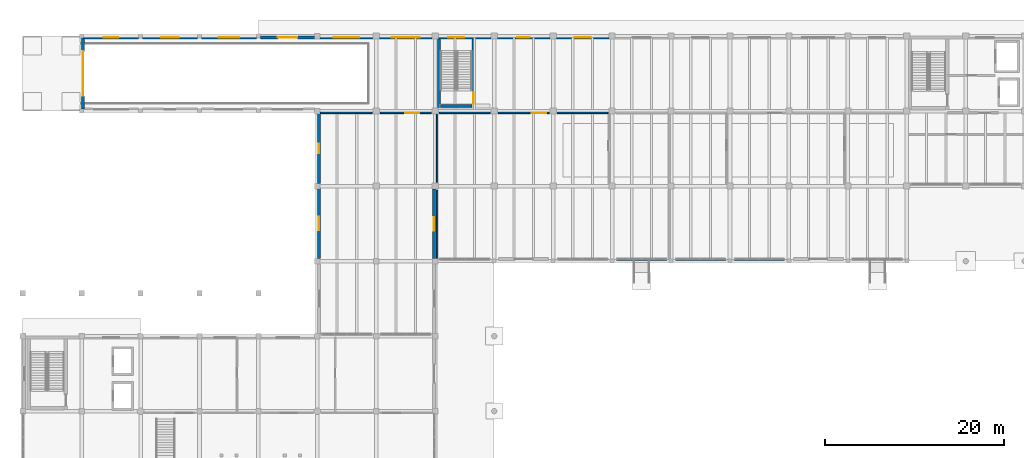
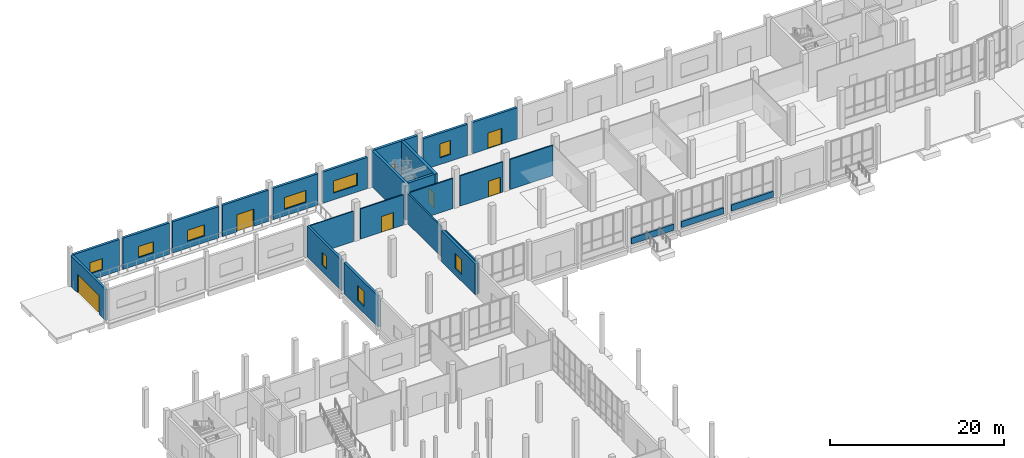
# One storey, part 43 of 64: 26 walls, 9 windows, 7 doors, 16 openings.
"""IFC4 building model written with IfcOpenShell, lengths in metres."""

import ifcopenshell
import ifcopenshell.guid

model = None  # the IFC model being written
_history = None  # IfcOwnerHistory: only IFC2X3 demands one
_inside = {}  # id of a spatial element -> (the spatial element, [elements in it])
_under = {}  # id of a project, library or spatial element -> (it, [spatial elements below it])
_declared = {}  # id of a project -> (the project, [libraries it declares])
_typed = {}  # id of a type object -> (the type object, [elements of that type])
_made_of = {}  # id of a material, layer set ... -> (it, [elements and type objects made of it])


def new_model(schema):
    """Start an empty IFC model of exactly this schema.

    Asked for "IFC4X3", IfcOpenShell would pick the latest addendum, in which some entities
    have other attributes; the version numbers below select the first issue.
    IFC2X3 requires an IfcOwnerHistory on every rooted entity: one is made here for all.
    """
    global model, _history
    if schema == "IFC4X3":
        model = ifcopenshell.file(schema_version=(4, 3, 0, 0))
    else:
        model = ifcopenshell.file(schema=schema)
    _inside.clear()
    _under.clear()
    _declared.clear()
    _typed.clear()
    _made_of.clear()
    _history = None
    if model.schema == "IFC2X3":
        org = make("IfcOrganization", Name="unknown")
        user = make(
            "IfcPersonAndOrganization",
            ThePerson=make("IfcPerson", FamilyName="unknown"),
            TheOrganization=org,
        )
        app = make(
            "IfcApplication",
            ApplicationDeveloper=org,
            Version="unknown",
            ApplicationFullName="unknown",
            ApplicationIdentifier="unknown",
        )
        _history = make(
            "IfcOwnerHistory",
            OwningUser=user,
            OwningApplication=app,
            ChangeAction="ADDED",
            CreationDate=0,
        )
    return model


def make(cls, **values):
    """One entity of the class cls with the attributes given. An attribute that is None is left unset."""
    return model.create_entity(
        cls, **{name: value for name, value in values.items() if value is not None}
    )


def rooted(cls, **values):
    """An entity with a GlobalId (a new one), such as an element, a storey or a relation."""
    return make(cls, GlobalId=ifcopenshell.guid.new(), OwnerHistory=_history, **values)


def si_unit(unit_type, name, prefix=None):
    """IfcSIUnit, for example si_unit("LENGTHUNIT", "METRE", prefix="MILLI")."""
    return make("IfcSIUnit", UnitType=unit_type, Prefix=prefix, Name=name)


def assignment(units):
    """IfcUnitAssignment: the units of a project."""
    return None if units is None else make("IfcUnitAssignment", Units=units)


def point(xyz):
    """IfcCartesianPoint."""
    return None if xyz is None else make("IfcCartesianPoint", Coordinates=xyz)


def direction(xyz):
    """IfcDirection."""
    return None if xyz is None else make("IfcDirection", DirectionRatios=xyz)


def frame(location, z_axis=None, x_axis=None):
    """IfcAxis2Placement3D, a coordinate frame: its origin and axes. An axis left out is left unset."""
    return make(
        "IfcAxis2Placement3D",
        Location=point(location),
        Axis=direction(z_axis),
        RefDirection=direction(x_axis),
    )


def frame_2d(location, x_axis=None):
    """IfcAxis2Placement2D, a coordinate frame in the plane: its origin and x axis."""
    return make(
        "IfcAxis2Placement2D", Location=point(location), RefDirection=direction(x_axis)
    )


def origin():
    """The frame at (0, 0, 0) with its axes left unset."""
    return frame((0.0, 0.0, 0.0))


def place(relative_to, where):
    """IfcLocalPlacement: puts the frame where relative to a parent placement (None: the world)."""
    return make(
        "IfcLocalPlacement", PlacementRelTo=relative_to, RelativePlacement=where
    )


def context(
    kind, dimensions, precision=None, world=None, true_north=None, identifier=None
):
    """IfcGeometricRepresentationContext, for example the 3D "Model" context."""
    return make(
        "IfcGeometricRepresentationContext",
        ContextIdentifier=identifier,
        ContextType=kind,
        CoordinateSpaceDimension=dimensions,
        Precision=precision,
        WorldCoordinateSystem=world,
        TrueNorth=true_north,
    )


def subcontext(parent, identifier, kind, view, scale=None):
    """IfcGeometricRepresentationSubContext, for example "Body" below "Model"."""
    return make(
        "IfcGeometricRepresentationSubContext",
        ContextIdentifier=identifier,
        ContextType=kind,
        ParentContext=parent,
        TargetScale=scale,
        TargetView=view,
    )


def project(units=None, contexts=None):
    """IfcProject with its units and contexts."""
    return rooted(
        "IfcProject",
        Name="project",
        RepresentationContexts=contexts,
        UnitsInContext=assignment(units),
    )


def spatial(cls, under=None, at=None, **own):
    """A site, building, storey or space (cls), placed at a placement, below another one or the project."""
    s = rooted(cls, ObjectPlacement=at, **own)
    if under is not None:
        _under.setdefault(under.id(), (under, []))[1].append(s)
    return s


def profile(cls, at=None, kind="AREA", **sizes):
    """A parametric profile (cls). Its sizes go by their IFC names, for example OverallWidth=200.0."""
    return make(cls, ProfileType=kind, Position=at, **sizes)


def rectangle(**sizes):
    """IfcRectangleProfileDef."""
    return profile("IfcRectangleProfileDef", **sizes)


def extrude(swept, where, along, depth):
    """IfcExtrudedAreaSolid: the profile swept, set in the frame where, extruded along a direction by depth."""
    return make(
        "IfcExtrudedAreaSolid",
        SweptArea=swept,
        Position=where,
        ExtrudedDirection=direction(along),
        Depth=depth,
    )


def shape(context_of_items, identifier, shape_type, items):
    """IfcShapeRepresentation: the items that make up one representation, for example the "Body"."""
    return make(
        "IfcShapeRepresentation",
        ContextOfItems=context_of_items,
        RepresentationIdentifier=identifier,
        RepresentationType=shape_type,
        Items=items,
    )


def material(Name=None, Category=None):
    """IfcMaterial."""
    return make("IfcMaterial", Name=Name, Category=Category)


def layer(
    of_material, thickness, ventilated=None, Name=None, Category=None, Priority=None
):
    """IfcMaterialLayer: one layer of a wall or slab, of a material (None: an air gap)."""
    return make(
        "IfcMaterialLayer",
        Material=of_material,
        LayerThickness=thickness,
        IsVentilated=ventilated,
        Name=Name,
        Category=Category,
        Priority=Priority,
    )


def layer_set(layers, Name=None):
    """IfcMaterialLayerSet."""
    return make("IfcMaterialLayerSet", MaterialLayers=layers, LayerSetName=Name)


def made_of(thing, what):
    """Note that an element or type object is made of a material, layer set ...; save() writes the relation."""
    if what is not None:
        _made_of.setdefault(what.id(), (what, []))[1].append(thing)
    return thing


def type_object(cls, material=None, **own):
    """A type object (cls), such as IfcWallType, which elements share."""
    return made_of(rooted(cls, **own), material)


def element(
    cls,
    number,
    at=None,
    inside=None,
    cuts=None,
    type_object=None,
    material=None,
    context=None,
    identifier="Body",
    shape_type=None,
    held_by="IfcProductDefinitionShape",
    body=None,
    shapes=None,
    **own,
):
    """One element of the class cls, such as IfcWall. Its Tag is "e" and its number.

    at: its placement. inside: the storey or other place that contains it. cuts: it is an
    opening in that element (IfcRelVoidsElement). A single representation is given by context,
    identifier, shape_type and body (its items); several are given by shapes. held_by: the class
    of the entity that holds the representations. save() writes the other relations.
    """
    e = rooted(cls, Tag="e%d" % number, ObjectPlacement=at, **own)
    if body is not None:
        shapes = [shape(context, identifier, shape_type, body)]
    if shapes is not None:
        e.Representation = make(held_by, Representations=shapes)
    if inside is not None:
        _inside.setdefault(inside.id(), (inside, []))[1].append(e)
    if cuts is not None:
        rooted(
            "IfcRelVoidsElement", RelatingBuildingElement=cuts, RelatedOpeningElement=e
        )
    if type_object is not None:
        _typed.setdefault(type_object.id(), (type_object, []))[1].append(e)
    return made_of(e, material)


def fill(opening, filler):
    """IfcRelFillsElement: the door or window that sits in an opening."""
    return rooted(
        "IfcRelFillsElement",
        RelatingOpeningElement=opening,
        RelatedBuildingElement=filler,
    )


def aggregate(whole, parts):
    """IfcRelAggregates: a whole, such as a stair, and the parts it consists of."""
    return rooted("IfcRelAggregates", RelatingObject=whole, RelatedObjects=parts)


def save(model, path):
    """Write the relations noted so far, then the file.

    IfcRelAggregates (storeys below a building ...), IfcRelContainedInSpatialStructure (elements
    in a storey), IfcRelDefinesByType, IfcRelAssociatesMaterial and IfcRelDeclares: one each for
    every whole, place, type object, material and project.
    """
    for whole, parts in _under.values():
        aggregate(whole, parts)
    for where, things in _inside.values():
        rooted(
            "IfcRelContainedInSpatialStructure",
            RelatedElements=things,
            RelatingStructure=where,
        )
    for kind, things in _typed.values():
        rooted("IfcRelDefinesByType", RelatedObjects=things, RelatingType=kind)
    for what, things in _made_of.values():
        rooted("IfcRelAssociatesMaterial", RelatedObjects=things, RelatingMaterial=what)
    for by, libraries in _declared.values():
        rooted("IfcRelDeclares", RelatingContext=by, RelatedDefinitions=libraries)
    model.write(path)


model = new_model("IFC4")

# Units and contexts
model_context = context("Model", 3, precision=1e-05, world=origin(), true_north=direction((0.0, 1.0)))
body_context = subcontext(model_context, "Body", "Model", "MODEL_VIEW")
ifc_project = project(units=[si_unit("LENGTHUNIT", "METRE"), si_unit("AREAUNIT", "SQUARE_METRE"), si_unit("VOLUMEUNIT", "CUBIC_METRE"), si_unit("PLANEANGLEUNIT", "RADIAN"), si_unit("MASSUNIT", "GRAM", prefix="KILO")], contexts=[model_context])

# Site, building, storey
site_placement = place(None, origin())
site = spatial("IfcSite", under=ifc_project, at=site_placement, CompositionType="ELEMENT")
building_placement = place(site_placement, origin())
building = spatial("IfcBuilding", under=site, at=building_placement, Name="Qaldarim Faculty of Natural and Applied Sciences", CompositionType="ELEMENT")
storey_placement = place(building_placement, origin())
storey = spatial("IfcBuildingStorey", under=building, at=storey_placement, Name="L00", CompositionType="ELEMENT", Elevation=0.0)

# Wall
ifc_material_1 = material(Name="Concrete C50/60", Category="concrete")
ifc_layer_1 = layer(ifc_material_1, 0.360107421875)
ifc_layer_set_1 = layer_set([ifc_layer_1], Name="Concrete C50/60")
wall_type_1 = type_object("IfcWallType", Name="CoreShearWall-360", PredefinedType="SHEAR", material=ifc_layer_set_1)
wall_1_placement = place(storey_placement, frame((46.6201171875, 109.590087890625, 0.0), z_axis=(0.0, 0.0, 1.0), x_axis=(0.0, 1.0, 0.0)))
element("IfcWall", 1, at=wall_1_placement, inside=storey, type_object=wall_type_1, Name="Core stair ST-B2 west shear wall L00", PredefinedType="SHEAR", context=body_context, shape_type="SweptSolid", body=[
    extrude(rectangle(XDim=7.83984375, YDim=0.360107421875, at=frame_2d((3.919921875, 0.0))), origin(), (0.0, 0.0, 1.0), 5.10009765625),
])

# Wall, opening, door
wall_2_placement = place(storey_placement, frame((50.47998046875, 109.590087890625, 0.0), z_axis=(0.0, 0.0, 1.0), x_axis=(0.0, 1.0, 0.0)))
wall_2 = element("IfcWall", 2, at=wall_2_placement, inside=storey, type_object=wall_type_1, Name="Core stair ST-B2 east shear wall L00", PredefinedType="SHEAR", context=body_context, shape_type="SweptSolid", body=[
    extrude(rectangle(XDim=7.83984375, YDim=0.360107421875, at=frame_2d((3.919921875, 0.0))), origin(), (0.0, 0.0, 1.0), 5.10009765625),
])
opening_1_placement = place(wall_2_placement, frame((0.449951171875, 0.0, 0.0)))
opening_1 = element("IfcOpeningElement", 3, at=opening_1_placement, cuts=wall_2, Name="Opening ID04", PredefinedType="OPENING", context=body_context, shape_type="SweptSolid", body=[
    extrude(rectangle(XDim=1.25, YDim=2.14990234375, at=frame_2d((0.625, 1.074951171875))), frame((0.0, 0.18994140625, 0.0), z_axis=(0.0, -1.0, 0.0), x_axis=(1.0, 0.0, 0.0)), (0.0, 0.0, 1.0), 0.380126953125),
])
ifc_material_2 = material(Name="Architectural stainless steel 316", Category="steel")
door_type_1 = type_object("IfcDoorType", Name="StairEnclosureFireDoor-1250x2150", OperationType="NOTDEFINED", PredefinedType="DOOR", material=ifc_material_2)
door_1_placement = place(opening_1_placement, origin())
door_1 = element("IfcDoor", 4, at=door_1_placement, inside=storey, type_object=door_type_1, Name="Protected stair ST-B2 fire door D-L00-533", OperationType="SINGLE_SWING_RIGHT", OverallHeight=2.14990234375, OverallWidth=1.25, PredefinedType="DOOR", context=body_context, shape_type="SweptSolid", body=[
    extrude(rectangle(XDim=1.25, YDim=2.14990234375, at=frame_2d((0.625, 1.074951171875))), frame((0.0, 0.02490234375, 0.0), z_axis=(0.0, -1.0, 0.0), x_axis=(1.0, 0.0, 0.0)), (0.0, 0.0, 1.0), 0.050048828125),
])
fill(opening_1, door_1)

# Wall
wall_3_placement = place(storey_placement, frame((46.800048828125, 109.77001953125, 0.0), z_axis=(0.0, 0.0, 1.0), x_axis=(1.0, 0.0, 0.0)))
element("IfcWall", 5, at=wall_3_placement, inside=storey, type_object=wall_type_1, Name="Core stair ST-B2 south shear wall L00", PredefinedType="SHEAR", context=body_context, shape_type="SweptSolid", body=[
    extrude(rectangle(XDim=3.5, YDim=0.360107421875, at=frame_2d((1.75, 0.0))), origin(), (0.0, 0.0, 1.0), 5.10009765625),
])

# Wall, opening, window
ifc_material_3 = material(Name="Precast concrete C40/50", Category="concrete")
ifc_layer_2 = layer(ifc_material_3, 0.320068359375)
ifc_layer_set_2 = layer_set([ifc_layer_2], Name="Precast concrete C40/50")
wall_type_2 = type_object("IfcWallType", Name="ExteriorLimestoneWall-320", PredefinedType="SOLIDWALL", material=ifc_layer_set_2)
wall_4_placement = place(storey_placement, frame((12.97998046875, 117.43994140625, 0.0), z_axis=(0.0, 0.0, 1.0), x_axis=(-1.0, 0.0, 0.0)))
wall_4 = element("IfcWall", 6, at=wall_4_placement, inside=storey, type_object=wall_type_2, Name="Exterior wall EW01 L00 N X02Y14", PredefinedType="SOLIDWALL", context=body_context, shape_type="SweptSolid", body=[
    extrude(rectangle(XDim=6.159912109375, YDim=0.320068359375, at=frame_2d((3.080078125, 0.0))), origin(), (0.0, 0.0, 1.0), 4.385009765625),
])
opening_2_placement = place(wall_4_placement, frame((2.2548828125, 0.0, 0.949951171875)))
opening_2 = element("IfcOpeningElement", 7, at=opening_2_placement, cuts=wall_4, Name="Opening WN10", PredefinedType="OPENING", context=body_context, shape_type="SweptSolid", body=[
    extrude(rectangle(XDim=1.64990234375, YDim=1.550048828125, at=frame_2d((0.824951171875, 0.77490234375))), frame((0.0, 0.169921875, 0.0), z_axis=(0.0, -1.0, 0.0), x_axis=(1.0, 0.0, 0.0)), (0.0, 0.0, 1.0), 0.340087890625),
])
ifc_material_4 = material(Name="Insulated low-e double glazing", Category="glass")
window_type_1 = type_object("IfcWindowType", Name="LabWindow-1650x1550", PartitioningType="DOUBLE_PANEL_VERTICAL", PredefinedType="WINDOW", material=ifc_material_4)
window_1_placement = place(opening_2_placement, origin())
window_1 = element("IfcWindow", 8, at=window_1_placement, inside=storey, type_object=window_type_1, Name="Facade window WN10 L00 N X02Y14", OverallHeight=1.550048828125, OverallWidth=1.64990234375, PartitioningType="SINGLE_PANEL", PredefinedType="WINDOW", context=body_context, shape_type="SweptSolid", body=[
    extrude(rectangle(XDim=1.64990234375, YDim=1.550048828125, at=frame_2d((0.824951171875, 0.77490234375))), frame((0.0, 0.030029296875, 0.0), z_axis=(0.0, -1.0, 0.0), x_axis=(1.0, 0.0, 0.0)), (0.0, 0.0, 1.0), 0.06005859375),
])
fill(opening_2, window_1)

# Wall, opening, door
wall_5_placement = place(storey_placement, frame((6.760009765625, 117.3798828125, 0.0), z_axis=(0.0, 0.0, 1.0), x_axis=(0.0, -1.0, 0.0)))
wall_5 = element("IfcWall", 9, at=wall_5_placement, inside=storey, type_object=wall_type_2, Name="Basement ramp entrance portal wall L00", PredefinedType="SOLIDWALL", context=body_context, shape_type="SweptSolid", body=[
    extrude(rectangle(XDim=7.9599609375, YDim=0.320068359375, at=frame_2d((3.97998046875, 0.0))), origin(), (0.0, 0.0, 1.0), 4.3349609375),
])
opening_3_placement = place(wall_5_placement, frame((1.47998046875, 0.0, 0.0)))
opening_3 = element("IfcOpeningElement", 10, at=opening_3_placement, cuts=wall_5, Name="Opening RLD01", PredefinedType="OPENING", context=body_context, shape_type="SweptSolid", body=[
    extrude(rectangle(XDim=5.0, YDim=2.60009765625, at=frame_2d((2.5, 1.300048828125))), frame((0.0, 0.169921875, 0.0), z_axis=(0.0, -1.0, 0.0), x_axis=(1.0, 0.0, 0.0)), (0.0, 0.0, 1.0), 0.340087890625),
])
ifc_material_5 = material(Name="Anodised aluminium AW-6063", Category="aluminium")
door_type_2 = type_object("IfcDoorType", Name="CarParkRollerGate-5000x2600", OperationType="NOTDEFINED", PredefinedType="GATE", material=ifc_material_5)
door_2_placement = place(opening_3_placement, frame((5.0, 0.0, 0.0), z_axis=(0.0, 0.0, 1.0), x_axis=(-1.0, 0.0, 0.0)))
door_2 = element("IfcDoor", 11, at=door_2_placement, inside=storey, type_object=door_type_2, Name="Car park vehicle roller gate D-L00-004", OperationType="ROLLINGUP", OverallHeight=2.60009765625, OverallWidth=5.0, PredefinedType="GATE", context=body_context, shape_type="SweptSolid", body=[
    extrude(rectangle(XDim=5.0, YDim=2.60009765625, at=frame_2d((2.5, 1.300048828125))), frame((0.0, 0.02490234375, 0.0), z_axis=(0.0, -1.0, 0.0), x_axis=(1.0, 0.0, 0.0)), (0.0, 0.0, 1.0), 0.050048828125),
])
fill(opening_3, door_2)

# Wall, opening, window
wall_6_placement = place(storey_placement, frame((19.580078125, 117.43994140625, 0.0), z_axis=(0.0, 0.0, 1.0), x_axis=(-1.0, 0.0, 0.0)))
wall_6 = element("IfcWall", 12, at=wall_6_placement, inside=storey, type_object=wall_type_2, Name="Exterior wall EW01 L00 N X03Y14", PredefinedType="SOLIDWALL", context=body_context, shape_type="SweptSolid", body=[
    extrude(rectangle(XDim=6.16015625, YDim=0.320068359375, at=frame_2d((3.080078125, 0.0))), origin(), (0.0, 0.0, 1.0), 4.385009765625),
])
opening_4_placement = place(wall_6_placement, frame((2.10498046875, 0.0, 0.949951171875)))
opening_4 = element("IfcOpeningElement", 13, at=opening_4_placement, cuts=wall_6, Name="Opening WN11", PredefinedType="OPENING", context=body_context, shape_type="SweptSolid", body=[
    extrude(rectangle(XDim=1.949951171875, YDim=1.550048828125, at=frame_2d((0.97509765625, 0.77490234375))), frame((0.0, 0.169921875, 0.0), z_axis=(0.0, -1.0, 0.0), x_axis=(1.0, 0.0, 0.0)), (0.0, 0.0, 1.0), 0.340087890625),
])
window_type_2 = type_object("IfcWindowType", Name="LabWindow-1950x1550", PartitioningType="DOUBLE_PANEL_VERTICAL", PredefinedType="WINDOW", material=ifc_material_4)
window_2_placement = place(opening_4_placement, origin())
window_2 = element("IfcWindow", 14, at=window_2_placement, inside=storey, type_object=window_type_2, Name="Facade window WN11 L00 N X03Y14", OverallHeight=1.550048828125, OverallWidth=1.949951171875, PartitioningType="SINGLE_PANEL", PredefinedType="WINDOW", context=body_context, shape_type="SweptSolid", body=[
    extrude(rectangle(XDim=1.949951171875, YDim=1.550048828125, at=frame_2d((0.97509765625, 0.77490234375))), frame((0.0, 0.030029296875, 0.0), z_axis=(0.0, -1.0, 0.0), x_axis=(1.0, 0.0, 0.0)), (0.0, 0.0, 1.0), 0.06005859375),
])
fill(opening_4, window_2)

wall_7_placement = place(storey_placement, frame((26.179931640625, 117.43994140625, 0.0), z_axis=(0.0, 0.0, 1.0), x_axis=(-1.0, 0.0, 0.0)))
wall_7 = element("IfcWall", 15, at=wall_7_placement, inside=storey, type_object=wall_type_2, Name="Exterior wall EW01 L00 N X04Y14", PredefinedType="SOLIDWALL", context=body_context, shape_type="SweptSolid", body=[
    extrude(rectangle(XDim=6.159912109375, YDim=0.320068359375, at=frame_2d((3.080078125, 0.0))), origin(), (0.0, 0.0, 1.0), 4.385009765625),
])
opening_5_placement = place(wall_7_placement, frame((1.955078125, 0.0, 0.949951171875)))
opening_5 = element("IfcOpeningElement", 16, at=opening_5_placement, cuts=wall_7, Name="Opening WN12", PredefinedType="OPENING", context=body_context, shape_type="SweptSolid", body=[
    extrude(rectangle(XDim=2.25, YDim=1.550048828125, at=frame_2d((1.125, 0.77490234375))), frame((0.0, 0.169921875, 0.0), z_axis=(0.0, -1.0, 0.0), x_axis=(1.0, 0.0, 0.0)), (0.0, 0.0, 1.0), 0.340087890625),
])
window_type_3 = type_object("IfcWindowType", Name="LabWindow-2250x1550", PartitioningType="TRIPLE_PANEL_VERTICAL", PredefinedType="WINDOW", material=ifc_material_4)
window_3_placement = place(opening_5_placement, origin())
window_3 = element("IfcWindow", 17, at=window_3_placement, inside=storey, type_object=window_type_3, Name="Facade window WN12 L00 N X04Y14", OverallHeight=1.550048828125, OverallWidth=2.25, PartitioningType="SINGLE_PANEL", PredefinedType="WINDOW", context=body_context, shape_type="SweptSolid", body=[
    extrude(rectangle(XDim=2.25, YDim=1.550048828125, at=frame_2d((1.125, 0.77490234375))), frame((0.0, 0.030029296875, 0.0), z_axis=(0.0, -1.0, 0.0), x_axis=(1.0, 0.0, 0.0)), (0.0, 0.0, 1.0), 0.06005859375),
])
fill(opening_5, window_3)

# Wall, opening, door
wall_8_placement = place(storey_placement, frame((32.705078125, 117.43994140625, 0.0), z_axis=(0.0, 0.0, 1.0), x_axis=(-1.0, 0.0, 0.0)))
wall_8 = element("IfcWall", 18, at=wall_8_placement, inside=storey, type_object=wall_type_2, Name="Exterior wall EW01 L00 N X05Y14", PredefinedType="SOLIDWALL", context=body_context, shape_type="SweptSolid", body=[
    extrude(rectangle(XDim=6.0849609375, YDim=0.320068359375, at=frame_2d((3.04248046875, 0.0))), origin(), (0.0, 0.0, 1.0), 4.385009765625),
])
opening_6_placement = place(wall_8_placement, frame((1.93994140625, 0.0, 0.0)))
opening_6 = element("IfcOpeningElement", 19, at=opening_6_placement, cuts=wall_8, Name="Opening ED05", PredefinedType="OPENING", context=body_context, shape_type="SweptSolid", body=[
    extrude(rectangle(XDim=2.199951171875, YDim=2.39990234375, at=frame_2d((1.10009765625, 1.199951171875))), frame((0.0, 0.169921875, 0.0), z_axis=(0.0, -1.0, 0.0), x_axis=(1.0, 0.0, 0.0)), (0.0, 0.0, 1.0), 0.340087890625),
])
door_type_3 = type_object("IfcDoorType", Name="ServiceLoadingDoor-2200x2400", OperationType="NOTDEFINED", PredefinedType="DOOR", material=ifc_material_2)
door_3_placement = place(opening_6_placement, frame((2.199951171875, 0.0, 0.0), z_axis=(0.0, 0.0, 1.0), x_axis=(-1.0, 0.0, 0.0)))
door_3 = element("IfcDoor", 20, at=door_3_placement, inside=storey, type_object=door_type_3, Name="Exterior entrance/exit door D-L00-005", OperationType="DOUBLE_DOOR_SINGLE_SWING", OverallHeight=2.39990234375, OverallWidth=2.199951171875, PredefinedType="DOOR", context=body_context, shape_type="SweptSolid", body=[
    extrude(rectangle(XDim=2.199951171875, YDim=2.39990234375, at=frame_2d((1.10009765625, 1.199951171875))), frame((0.0, 0.02490234375, 0.0), z_axis=(0.0, -1.0, 0.0), x_axis=(1.0, 0.0, 0.0)), (0.0, 0.0, 1.0), 0.050048828125),
])
fill(opening_6, door_3)

# Wall, opening, window
wall_9_placement = place(storey_placement, frame((33.159912109375, 100.5048828125, 0.0), z_axis=(0.0, 0.0, 1.0), x_axis=(0.0, -1.0, 0.0)))
wall_9 = element("IfcWall", 21, at=wall_9_placement, inside=storey, type_object=wall_type_2, Name="Exterior wall EW01 L00 W X06Y12", PredefinedType="SOLIDWALL", context=body_context, shape_type="SweptSolid", body=[
    extrude(rectangle(XDim=7.809814453125, YDim=0.320068359375, at=frame_2d((3.90478515625, 0.0))), origin(), (0.0, 0.0, 1.0), 4.3349609375),
])
opening_7_placement = place(wall_9_placement, frame((3.155029296875, 0.0, 0.949951171875)))
opening_7 = element("IfcOpeningElement", 22, at=opening_7_placement, cuts=wall_9, Name="Opening WN06", PredefinedType="OPENING", context=body_context, shape_type="SweptSolid", body=[
    extrude(rectangle(XDim=1.5, YDim=2.10009765625, at=frame_2d((0.75, 1.050048828125))), frame((0.0, 0.169921875, 0.0), z_axis=(0.0, -1.0, 0.0), x_axis=(1.0, 0.0, 0.0)), (0.0, 0.0, 1.0), 0.340087890625),
])
window_type_4 = type_object("IfcWindowType", Name="Window-1500x2100", PartitioningType="DOUBLE_PANEL_VERTICAL", PredefinedType="WINDOW", material=ifc_material_4)
window_4_placement = place(opening_7_placement, origin())
window_4 = element("IfcWindow", 23, at=window_4_placement, inside=storey, type_object=window_type_4, Name="Facade window WN06 L00 W X06Y12", OverallHeight=2.10009765625, OverallWidth=1.5, PartitioningType="SINGLE_PANEL", PredefinedType="WINDOW", context=body_context, shape_type="SweptSolid", body=[
    extrude(rectangle(XDim=1.5, YDim=2.10009765625, at=frame_2d((0.75, 1.050048828125))), frame((0.0, 0.030029296875, 0.0), z_axis=(0.0, -1.0, 0.0), x_axis=(1.0, 0.0, 0.0)), (0.0, 0.0, 1.0), 0.06005859375),
])
fill(opening_7, window_4)

wall_10_placement = place(storey_placement, frame((33.159912109375, 108.905029296875, 0.0), z_axis=(0.0, 0.0, 1.0), x_axis=(0.0, -1.0, 0.0)))
wall_10 = element("IfcWall", 24, at=wall_10_placement, inside=storey, type_object=wall_type_2, Name="Exterior wall EW01 L00 W X06Y13", PredefinedType="SOLIDWALL", context=body_context, shape_type="SweptSolid", body=[
    extrude(rectangle(XDim=7.81005859375, YDim=0.320068359375, at=frame_2d((3.905029296875, 0.0))), origin(), (0.0, 0.0, 1.0), 4.3349609375),
])
opening_8_placement = place(wall_10_placement, frame((3.3798828125, 0.0, 0.949951171875)))
opening_8 = element("IfcOpeningElement", 25, at=opening_8_placement, cuts=wall_10, Name="Opening WN17", PredefinedType="OPENING", context=body_context, shape_type="SweptSolid", body=[
    extrude(rectangle(XDim=1.050048828125, YDim=1.75, at=frame_2d((0.52490234375, 0.875))), frame((0.0, 0.169921875, 0.0), z_axis=(0.0, -1.0, 0.0), x_axis=(1.0, 0.0, 0.0)), (0.0, 0.0, 1.0), 0.340087890625),
])
window_type_5 = type_object("IfcWindowType", Name="StudyWindow-1050x1750", PartitioningType="SINGLE_PANEL", PredefinedType="WINDOW", material=ifc_material_4)
window_5_placement = place(opening_8_placement, origin())
window_5 = element("IfcWindow", 26, at=window_5_placement, inside=storey, type_object=window_type_5, Name="Facade window WN17 L00 W X06Y13", OverallHeight=1.75, OverallWidth=1.050048828125, PartitioningType="SINGLE_PANEL", PredefinedType="WINDOW", context=body_context, shape_type="SweptSolid", body=[
    extrude(rectangle(XDim=1.050048828125, YDim=1.75, at=frame_2d((0.52490234375, 0.875))), frame((0.0, 0.030029296875, 0.0), z_axis=(0.0, -1.0, 0.0), x_axis=(1.0, 0.0, 0.0)), (0.0, 0.0, 1.0), 0.06005859375),
])
fill(opening_8, window_5)

wall_11_placement = place(storey_placement, frame((39.2548828125, 117.43994140625, 0.0), z_axis=(0.0, 0.0, 1.0), x_axis=(-1.0, 0.0, 0.0)))
wall_11 = element("IfcWall", 27, at=wall_11_placement, inside=storey, type_object=wall_type_2, Name="Exterior wall EW01 L00 N X06Y14", PredefinedType="SOLIDWALL", context=body_context, shape_type="SweptSolid", body=[
    extrude(rectangle(XDim=5.9599609375, YDim=0.320068359375, at=frame_2d((2.97998046875, 0.0))), origin(), (0.0, 0.0, 1.0), 4.385009765625),
])
opening_9_placement = place(wall_11_placement, frame((1.554931640625, 0.0, 0.949951171875)))
opening_9 = element("IfcOpeningElement", 28, at=opening_9_placement, cuts=wall_11, Name="Opening WN14", PredefinedType="OPENING", context=body_context, shape_type="SweptSolid", body=[
    extrude(rectangle(XDim=2.85009765625, YDim=1.64990234375, at=frame_2d((1.425048828125, 0.824951171875))), frame((0.0, 0.169921875, 0.0), z_axis=(0.0, -1.0, 0.0), x_axis=(1.0, 0.0, 0.0)), (0.0, 0.0, 1.0), 0.340087890625),
])
window_type_6 = type_object("IfcWindowType", Name="LabWindow-2850x1650", PartitioningType="TRIPLE_PANEL_VERTICAL", PredefinedType="WINDOW", material=ifc_material_4)
window_6_placement = place(opening_9_placement, origin())
window_6 = element("IfcWindow", 29, at=window_6_placement, inside=storey, type_object=window_type_6, Name="Facade window WN14 L00 N X06Y14", OverallHeight=1.64990234375, OverallWidth=2.85009765625, PartitioningType="SINGLE_PANEL", PredefinedType="WINDOW", context=body_context, shape_type="SweptSolid", body=[
    extrude(rectangle(XDim=2.85009765625, YDim=1.64990234375, at=frame_2d((1.425048828125, 0.824951171875))), frame((0.0, 0.030029296875, 0.0), z_axis=(0.0, -1.0, 0.0), x_axis=(1.0, 0.0, 0.0)), (0.0, 0.0, 1.0), 0.06005859375),
])
fill(opening_9, window_6)

wall_12_placement = place(storey_placement, frame((46.0400390625, 92.695068359375, 0.0), z_axis=(0.0, 0.0, 1.0), x_axis=(0.0, 1.0, 0.0)))
wall_12 = element("IfcWall", 30, at=wall_12_placement, inside=storey, type_object=wall_type_2, Name="Exterior wall EW01 L00 E X07Y12", PredefinedType="SOLIDWALL", context=body_context, shape_type="SweptSolid", body=[
    extrude(rectangle(XDim=7.760009765625, YDim=0.320068359375, at=frame_2d((3.8798828125, 0.0))), origin(), (0.0, 0.0, 1.0), 4.3349609375),
])
opening_10_placement = place(wall_12_placement, frame((3.1298828125, 0.0, 0.949951171875)))
opening_10 = element("IfcOpeningElement", 31, at=opening_10_placement, cuts=wall_12, Name="Opening WN06", PredefinedType="OPENING", context=body_context, shape_type="SweptSolid", body=[
    extrude(rectangle(XDim=1.5, YDim=2.10009765625, at=frame_2d((0.75, 1.050048828125))), frame((0.0, 0.169921875, 0.0), z_axis=(0.0, -1.0, 0.0), x_axis=(1.0, 0.0, 0.0)), (0.0, 0.0, 1.0), 0.340087890625),
])
window_7_placement = place(opening_10_placement, origin())
window_7 = element("IfcWindow", 32, at=window_7_placement, inside=storey, type_object=window_type_4, Name="Facade window WN06 L00 E X07Y12", OverallHeight=2.10009765625, OverallWidth=1.5, PartitioningType="SINGLE_PANEL", PredefinedType="WINDOW", context=body_context, shape_type="SweptSolid", body=[
    extrude(rectangle(XDim=1.5, YDim=2.10009765625, at=frame_2d((0.75, 1.050048828125))), frame((0.0, 0.030029296875, 0.0), z_axis=(0.0, -1.0, 0.0), x_axis=(1.0, 0.0, 0.0)), (0.0, 0.0, 1.0), 0.06005859375),
])
fill(opening_10, window_7)

wall_13_placement = place(storey_placement, frame((45.85498046875, 117.43994140625, 0.0), z_axis=(0.0, 0.0, 1.0), x_axis=(-1.0, 0.0, 0.0)))
wall_13 = element("IfcWall", 33, at=wall_13_placement, inside=storey, type_object=wall_type_2, Name="Exterior wall EW01 L00 N X07Y14", PredefinedType="SOLIDWALL", context=body_context, shape_type="SweptSolid", body=[
    extrude(rectangle(XDim=5.909912109375, YDim=0.320068359375, at=frame_2d((2.955078125, 0.0))), origin(), (0.0, 0.0, 1.0), 4.385009765625),
])
opening_11_placement = place(wall_13_placement, frame((1.3798828125, 0.0, 0.949951171875)))
opening_11 = element("IfcOpeningElement", 34, at=opening_11_placement, cuts=wall_13, Name="Opening WN15", PredefinedType="OPENING", context=body_context, shape_type="SweptSolid", body=[
    extrude(rectangle(XDim=3.14990234375, YDim=1.699951171875, at=frame_2d((1.574951171875, 0.85009765625))), frame((0.0, 0.169921875, 0.0), z_axis=(0.0, -1.0, 0.0), x_axis=(1.0, 0.0, 0.0)), (0.0, 0.0, 1.0), 0.340087890625),
])
window_type_7 = type_object("IfcWindowType", Name="LabWindow-3150x1700", PartitioningType="TRIPLE_PANEL_VERTICAL", PredefinedType="WINDOW", material=ifc_material_4)
window_8_placement = place(opening_11_placement, origin())
window_8 = element("IfcWindow", 35, at=window_8_placement, inside=storey, type_object=window_type_7, Name="Facade window WN15 L00 N X07Y14", OverallHeight=1.699951171875, OverallWidth=3.14990234375, PartitioningType="SINGLE_PANEL", PredefinedType="WINDOW", context=body_context, shape_type="SweptSolid", body=[
    extrude(rectangle(XDim=3.14990234375, YDim=1.699951171875, at=frame_2d((1.574951171875, 0.85009765625))), frame((0.0, 0.030029296875, 0.0), z_axis=(0.0, -1.0, 0.0), x_axis=(1.0, 0.0, 0.0)), (0.0, 0.0, 1.0), 0.06005859375),
])
fill(opening_11, window_8)

wall_14_placement = place(storey_placement, frame((59.054931640625, 117.43994140625, 0.0), z_axis=(0.0, 0.0, 1.0), x_axis=(-1.0, 0.0, 0.0)))
wall_14 = element("IfcWall", 36, at=wall_14_placement, inside=storey, type_object=wall_type_2, Name="Exterior wall EW01 L00 N X09Y14", PredefinedType="SOLIDWALL", context=body_context, shape_type="SweptSolid", body=[
    extrude(rectangle(XDim=5.909912109375, YDim=0.320068359375, at=frame_2d((2.955078125, 0.0))), origin(), (0.0, 0.0, 1.0), 4.385009765625),
])
opening_12_placement = place(wall_14_placement, frame((2.2548828125, 0.0, 0.949951171875)))
opening_12 = element("IfcOpeningElement", 37, at=opening_12_placement, cuts=wall_14, Name="Opening WN25", PredefinedType="OPENING", context=body_context, shape_type="SweptSolid", body=[
    extrude(rectangle(XDim=1.39990234375, YDim=1.949951171875, at=frame_2d((0.699951171875, 0.97509765625))), frame((0.0, 0.169921875, 0.0), z_axis=(0.0, -1.0, 0.0), x_axis=(1.0, 0.0, 0.0)), (0.0, 0.0, 1.0), 0.340087890625),
])
window_type_8 = type_object("IfcWindowType", Name="GalleryWindow-1400x1950", PartitioningType="DOUBLE_PANEL_VERTICAL", PredefinedType="WINDOW", material=ifc_material_4)
window_9_placement = place(opening_12_placement, origin())
window_9 = element("IfcWindow", 38, at=window_9_placement, inside=storey, type_object=window_type_8, Name="Facade window WN25 L00 N X09Y14", OverallHeight=1.949951171875, OverallWidth=1.39990234375, PartitioningType="SINGLE_PANEL", PredefinedType="WINDOW", context=body_context, shape_type="SweptSolid", body=[
    extrude(rectangle(XDim=1.39990234375, YDim=1.949951171875, at=frame_2d((0.699951171875, 0.97509765625))), frame((0.0, 0.030029296875, 0.0), z_axis=(0.0, -1.0, 0.0), x_axis=(1.0, 0.0, 0.0)), (0.0, 0.0, 1.0), 0.06005859375),
])
fill(opening_12, window_9)

# Wall, opening, door
wall_15_placement = place(storey_placement, frame((65.655029296875, 117.43994140625, 0.0), z_axis=(0.0, 0.0, 1.0), x_axis=(-1.0, 0.0, 0.0)))
wall_15 = element("IfcWall", 39, at=wall_15_placement, inside=storey, type_object=wall_type_2, Name="Exterior wall EW01 L00 N X10Y14", PredefinedType="SOLIDWALL", context=body_context, shape_type="SweptSolid", body=[
    extrude(rectangle(XDim=5.909912109375, YDim=0.320068359375, at=frame_2d((2.955078125, 0.0))), origin(), (0.0, 0.0, 1.0), 4.385009765625),
])
opening_13_placement = place(wall_15_placement, frame((2.054931640625, 0.0, 0.0)))
opening_13 = element("IfcOpeningElement", 40, at=opening_13_placement, cuts=wall_15, Name="Opening ED04", PredefinedType="OPENING", context=body_context, shape_type="SweptSolid", body=[
    extrude(rectangle(XDim=1.800048828125, YDim=2.199951171875, at=frame_2d((0.89990234375, 1.10009765625))), frame((0.0, 0.169921875, 0.0), z_axis=(0.0, -1.0, 0.0), x_axis=(1.0, 0.0, 0.0)), (0.0, 0.0, 1.0), 0.340087890625),
])
door_type_4 = type_object("IfcDoorType", Name="FinalExitDoubleDoor-1800x2200", OperationType="NOTDEFINED", PredefinedType="DOOR", material=ifc_material_2)
door_4_placement = place(opening_13_placement, frame((1.800048828125, 0.0, 0.0), z_axis=(0.0, 0.0, 1.0), x_axis=(-1.0, 0.0, 0.0)))
door_4 = element("IfcDoor", 41, at=door_4_placement, inside=storey, type_object=door_type_4, Name="Exterior entrance/exit door D-L00-012", OperationType="DOUBLE_DOOR_SINGLE_SWING", OverallHeight=2.199951171875, OverallWidth=1.800048828125, PredefinedType="DOOR", context=body_context, shape_type="SweptSolid", body=[
    extrude(rectangle(XDim=1.800048828125, YDim=2.199951171875, at=frame_2d((0.89990234375, 1.10009765625))), frame((0.0, 0.02490234375, 0.0), z_axis=(0.0, -1.0, 0.0), x_axis=(1.0, 0.0, 0.0)), (0.0, 0.0, 1.0), 0.050048828125),
])
fill(opening_13, door_4)

ifc_layer_3 = layer(ifc_material_1, 0.340087890625)
ifc_layer_set_3 = layer_set([ifc_layer_3], Name="Concrete C50/60")
wall_type_3 = type_object("IfcWallType", Name="ExteriorStairShearWall-340", PredefinedType="SHEAR", material=ifc_layer_set_3)
wall_16_placement = place(storey_placement, frame((52.455078125, 117.429931640625, 0.0), z_axis=(0.0, 0.0, 1.0), x_axis=(-1.0, 0.0, 0.0)))
wall_16 = element("IfcWall", 42, at=wall_16_placement, inside=storey, type_object=wall_type_3, Name="Exterior wall EW05 L00 N X08Y14", PredefinedType="SHEAR", context=body_context, shape_type="SweptSolid", body=[
    extrude(rectangle(XDim=5.91015625, YDim=0.340087890625, at=frame_2d((2.955078125, 0.0))), origin(), (0.0, 0.0, 1.0), 5.10009765625),
])
opening_14_placement = place(wall_16_placement, frame((3.0048828125, 0.0, 0.0)))
opening_14 = element("IfcOpeningElement", 43, at=opening_14_placement, cuts=wall_16, Name="Opening ED04", PredefinedType="OPENING", context=body_context, shape_type="SweptSolid", body=[
    extrude(rectangle(XDim=1.800048828125, YDim=2.199951171875, at=frame_2d((0.89990234375, 1.10009765625))), frame((0.0, 0.179931640625, 0.0), z_axis=(0.0, -1.0, 0.0), x_axis=(1.0, 0.0, 0.0)), (0.0, 0.0, 1.0), 0.360107421875),
])
door_5_placement = place(opening_14_placement, frame((1.800048828125, 0.0, 0.0), z_axis=(0.0, 0.0, 1.0), x_axis=(-1.0, 0.0, 0.0)))
door_5 = element("IfcDoor", 44, at=door_5_placement, inside=storey, type_object=door_type_4, Name="Protected stair final exit door D-L00-011", OperationType="DOUBLE_DOOR_SINGLE_SWING", OverallHeight=2.199951171875, OverallWidth=1.800048828125, PredefinedType="DOOR", context=body_context, shape_type="SweptSolid", body=[
    extrude(rectangle(XDim=1.800048828125, YDim=2.199951171875, at=frame_2d((0.89990234375, 1.10009765625))), frame((0.0, 0.02490234375, 0.0), z_axis=(0.0, -1.0, 0.0), x_axis=(1.0, 0.0, 0.0)), (0.0, 0.0, 1.0), 0.050048828125),
])
fill(opening_14, door_5)

# Wall
ifc_material_6 = material(Name="Concrete C40/50", Category="concrete")
ifc_layer_4 = layer(ifc_material_6, 0.159912109375)
ifc_layer_set_4 = layer_set([ifc_layer_4], Name="Concrete C40/50")
wall_type_4 = type_object("IfcWallType", Name="FireCorridorWall-160", PredefinedType="PARTITIONING", material=ifc_layer_set_4)
wall_17_placement = place(storey_placement, frame((33.320068359375, 109.0, 0.0), z_axis=(0.0, 0.0, 1.0), x_axis=(1.0, 0.0, 0.0)))
element("IfcWall", 45, at=wall_17_placement, inside=storey, type_object=wall_type_4, Name="Interior partition PRT-L00-V4-CORS-S1", PredefinedType="PARTITIONING", context=body_context, shape_type="SweptSolid", body=[
    extrude(rectangle(XDim=5.829833984375, YDim=0.159912109375, at=frame_2d((2.9150390625, 0.0))), origin(), (0.0, 0.0, 1.0), 4.235107421875),
])

# Wall, opening, door
wall_18_placement = place(storey_placement, frame((40.050048828125, 109.0, 0.0), z_axis=(0.0, 0.0, 1.0), x_axis=(1.0, 0.0, 0.0)))
wall_18 = element("IfcWall", 46, at=wall_18_placement, inside=storey, type_object=wall_type_4, Name="Interior partition PRT-L00-V4-CORS-S2", PredefinedType="PARTITIONING", context=body_context, shape_type="SweptSolid", body=[
    extrude(rectangle(XDim=5.699951171875, YDim=0.159912109375, at=frame_2d((2.85009765625, 0.0))), origin(), (0.0, 0.0, 1.0), 4.235107421875),
])
opening_15_placement = place(wall_18_placement, frame((2.77001953125, 0.0, 0.0)))
opening_15 = element("IfcOpeningElement", 47, at=opening_15_placement, cuts=wall_18, Name="Opening ID06", PredefinedType="OPENING", context=body_context, shape_type="SweptSolid", body=[
    extrude(rectangle(XDim=1.60009765625, YDim=2.199951171875, at=frame_2d((0.800048828125, 1.10009765625))), frame((0.0, 0.08984375, 0.0), z_axis=(0.0, -1.0, 0.0), x_axis=(1.0, 0.0, 0.0)), (0.0, 0.0, 1.0), 0.179931640625),
])
door_type_5 = type_object("IfcDoorType", Name="LabEquipmentDoubleDoor-1600x2200", OperationType="NOTDEFINED", PredefinedType="DOOR", material=ifc_material_2)
door_6_placement = place(opening_15_placement, origin())
door_6 = element("IfcDoor", 48, at=door_6_placement, inside=storey, type_object=door_type_5, Name="Interior door D-L00-172", OperationType="DOUBLE_DOOR_SINGLE_SWING", OverallHeight=2.199951171875, OverallWidth=1.60009765625, PredefinedType="DOOR", context=body_context, shape_type="SweptSolid", body=[
    extrude(rectangle(XDim=1.60009765625, YDim=2.199951171875, at=frame_2d((0.800048828125, 1.10009765625))), frame((0.0, 0.02490234375, 0.0), z_axis=(0.0, -1.0, 0.0), x_axis=(1.0, 0.0, 0.0)), (0.0, 0.0, 1.0), 0.050048828125),
])
fill(opening_15, door_6)

# Wall
wall_19_placement = place(storey_placement, frame((46.64990234375, 109.0, 0.0), z_axis=(0.0, 0.0, 1.0), x_axis=(1.0, 0.0, 0.0)))
element("IfcWall", 49, at=wall_19_placement, inside=storey, type_object=wall_type_4, Name="Interior partition PRT-L00-V4-CORS-S3", PredefinedType="PARTITIONING", context=body_context, shape_type="SweptSolid", body=[
    extrude(rectangle(XDim=5.7001953125, YDim=0.159912109375, at=frame_2d((2.85009765625, 0.0))), origin(), (0.0, 0.0, 1.0), 4.235107421875),
])

# Wall, opening, door
wall_20_placement = place(storey_placement, frame((53.25, 109.0, 0.0), z_axis=(0.0, 0.0, 1.0), x_axis=(1.0, 0.0, 0.0)))
wall_20 = element("IfcWall", 50, at=wall_20_placement, inside=storey, type_object=wall_type_4, Name="Interior partition PRT-L00-V4-CORS-S4", PredefinedType="PARTITIONING", context=body_context, shape_type="SweptSolid", body=[
    extrude(rectangle(XDim=5.699951171875, YDim=0.159912109375, at=frame_2d((2.85009765625, 0.0))), origin(), (0.0, 0.0, 1.0), 4.235107421875),
])
opening_16_placement = place(wall_20_placement, frame((3.75, 0.0, 0.0)))
opening_16 = element("IfcOpeningElement", 51, at=opening_16_placement, cuts=wall_20, Name="Opening ID06", PredefinedType="OPENING", context=body_context, shape_type="SweptSolid", body=[
    extrude(rectangle(XDim=1.60009765625, YDim=2.199951171875, at=frame_2d((0.800048828125, 1.10009765625))), frame((0.0, 0.08984375, 0.0), z_axis=(0.0, -1.0, 0.0), x_axis=(1.0, 0.0, 0.0)), (0.0, 0.0, 1.0), 0.179931640625),
])
door_7_placement = place(opening_16_placement, origin())
door_7 = element("IfcDoor", 52, at=door_7_placement, inside=storey, type_object=door_type_5, Name="Interior door D-L00-173", OperationType="DOUBLE_DOOR_SINGLE_SWING", OverallHeight=2.199951171875, OverallWidth=1.60009765625, PredefinedType="DOOR", context=body_context, shape_type="SweptSolid", body=[
    extrude(rectangle(XDim=1.60009765625, YDim=2.199951171875, at=frame_2d((0.800048828125, 1.10009765625))), frame((0.0, 0.02490234375, 0.0), z_axis=(0.0, -1.0, 0.0), x_axis=(1.0, 0.0, 0.0)), (0.0, 0.0, 1.0), 0.050048828125),
])
fill(opening_16, door_7)

# Walls
wall_21_placement = place(storey_placement, frame((59.85009765625, 109.0, 0.0), z_axis=(0.0, 0.0, 1.0), x_axis=(1.0, 0.0, 0.0)))
element("IfcWall", 53, at=wall_21_placement, inside=storey, type_object=wall_type_4, Name="Interior partition PRT-L00-V4-CORS-S5", PredefinedType="PARTITIONING", context=body_context, shape_type="SweptSolid", body=[
    extrude(rectangle(XDim=5.699951171875, YDim=0.159912109375, at=frame_2d((2.85009765625, 0.0))), origin(), (0.0, 0.0, 1.0), 4.235107421875),
])
ifc_layer_5 = layer(ifc_material_6, 0.179931640625)
ifc_layer_set_5 = layer_set([ifc_layer_5], Name="Concrete C40/50")
wall_type_5 = type_object("IfcWallType", Name="LabFireCompartmentWall-180", PredefinedType="SOLIDWALL", material=ifc_layer_set_5)
wall_22_placement = place(storey_placement, frame((46.39990234375, 92.699951171875, 0.0), z_axis=(0.0, 0.0, 1.0), x_axis=(0.0, 1.0, 0.0)))
element("IfcWall", 54, at=wall_22_placement, inside=storey, type_object=wall_type_5, Name="Interior partition PRT-L00-V4-LDKE-S1", PredefinedType="SOLIDWALL", context=body_context, shape_type="SweptSolid", body=[
    extrude(rectangle(XDim=7.650146484375, YDim=0.179931640625, at=frame_2d((3.8251953125, 0.0))), origin(), (0.0, 0.0, 1.0), 4.25),
])
wall_23_placement = place(storey_placement, frame((46.39990234375, 101.25, 0.0), z_axis=(0.0, 0.0, 1.0), x_axis=(0.0, 1.0, 0.0)))
element("IfcWall", 55, at=wall_23_placement, inside=storey, type_object=wall_type_5, Name="Interior partition PRT-L00-V4-LDKE-S2", PredefinedType="SOLIDWALL", context=body_context, shape_type="SweptSolid", body=[
    extrude(rectangle(XDim=7.75, YDim=0.179931640625, at=frame_2d((3.875, 0.0))), origin(), (0.0, 0.0, 1.0), 4.25),
])
ifc_material_7 = material(Name="White architectural precast concrete C40/50", Category="concrete")
ifc_layer_6 = layer(ifc_material_7, 0.219970703125)
ifc_layer_set_6 = layer_set([ifc_layer_6], Name="White architectural precast concrete C40/50")
wall_type_6 = type_object("IfcWallType", Name="WhitePrecastWaveBand-220", PredefinedType="SOLIDWALL", material=ifc_layer_set_6)
wall_24_placement = place(storey_placement, frame((66.5, 92.6201171875, 0.0), z_axis=(0.0, 0.0, 1.0), x_axis=(1.0, 0.0, 0.0)))
element("IfcWall", 56, at=wall_24_placement, inside=storey, type_object=wall_type_6, Name="Laboratories ground plinth band X11", PredefinedType="SOLIDWALL", context=body_context, shape_type="SweptSolid", body=[
    extrude(rectangle(XDim=5.60009765625, YDim=0.219970703125, at=frame_2d((2.800048828125, 0.0))), origin(), (0.0, 0.0, 1.0), 0.85009765625),
])
wall_25_placement = place(storey_placement, frame((73.10009765625, 92.6201171875, 0.0), z_axis=(0.0, 0.0, 1.0), x_axis=(1.0, 0.0, 0.0)))
element("IfcWall", 57, at=wall_25_placement, inside=storey, type_object=wall_type_6, Name="Laboratories ground plinth band X12", PredefinedType="SOLIDWALL", context=body_context, shape_type="SweptSolid", body=[
    extrude(rectangle(XDim=5.599853515625, YDim=0.219970703125, at=frame_2d((2.7998046875, 0.0))), origin(), (0.0, 0.0, 1.0), 0.85009765625),
])
wall_26_placement = place(storey_placement, frame((79.699951171875, 92.6201171875, 0.0), z_axis=(0.0, 0.0, 1.0), x_axis=(1.0, 0.0, 0.0)))
element("IfcWall", 58, at=wall_26_placement, inside=storey, type_object=wall_type_6, Name="Laboratories ground plinth band X13", PredefinedType="SOLIDWALL", context=body_context, shape_type="SweptSolid", body=[
    extrude(rectangle(XDim=5.60009765625, YDim=0.219970703125, at=frame_2d((2.800048828125, 0.0))), origin(), (0.0, 0.0, 1.0), 0.85009765625),
])

save(model, "model.ifc")
